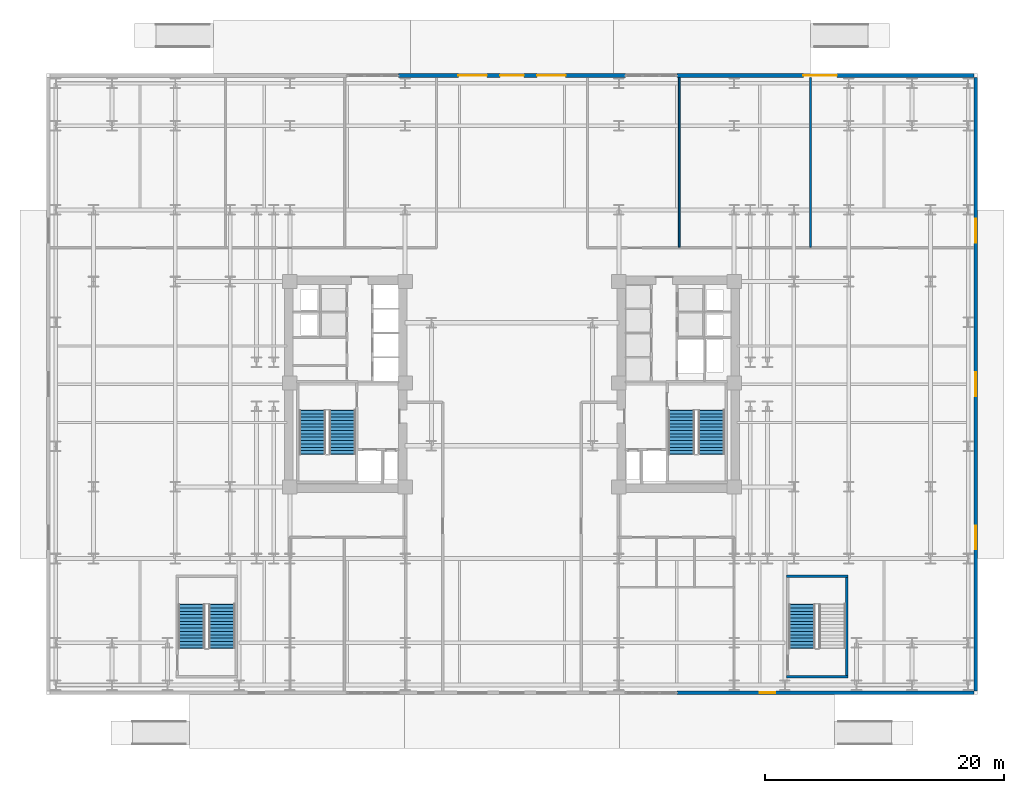
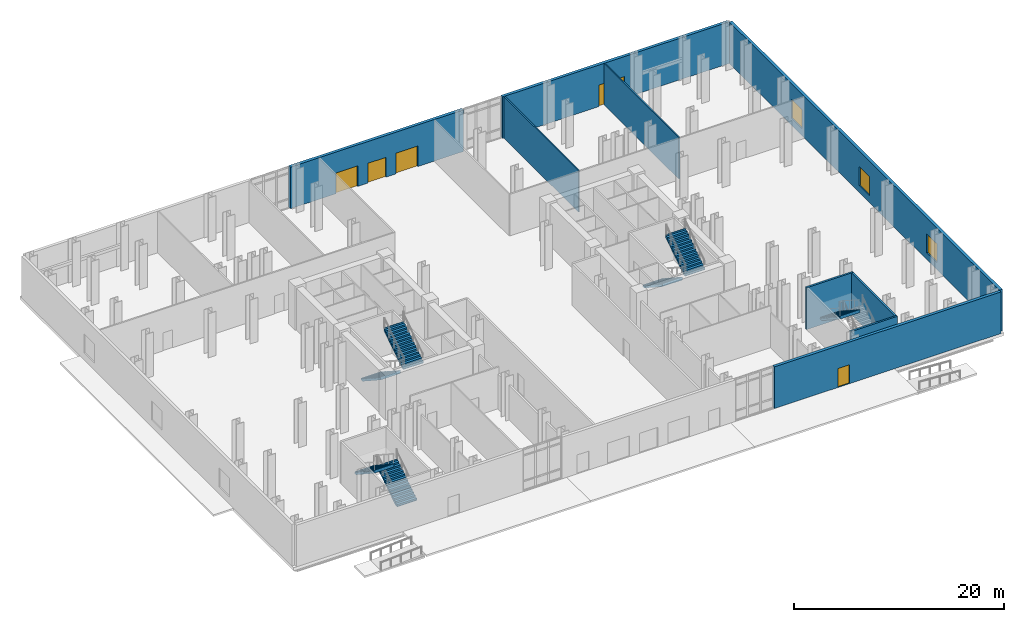
# One storey, part 14 of 21: 9 walls, 7 stair flights, 5 doors, 3 windows, 8 openings, 4 elements without a shape of their own.
"""IFC4 building model written with IfcOpenShell, lengths in metres."""

from ifc_helpers import new_model, si_unit, direction, frame, frame_2d, origin, place, context, subcontext, project, spatial, polyline, rectangle, outline, extrude, material, layer, layer_set, type_object, element, fill, aggregate, save


model = new_model("IFC4")

# Units and contexts
model_context = context("Model", 3, precision=1e-05, world=origin(), true_north=direction((0.0, 1.0)))
body_context = subcontext(model_context, "Body", "Model", "MODEL_VIEW")
ifc_project = project(units=[si_unit("LENGTHUNIT", "METRE"), si_unit("AREAUNIT", "SQUARE_METRE"), si_unit("VOLUMEUNIT", "CUBIC_METRE"), si_unit("PLANEANGLEUNIT", "RADIAN"), si_unit("MASSUNIT", "GRAM", prefix="KILO")], contexts=[model_context])

# Site, building, storey
site_placement = place(None, origin())
site = spatial("IfcSite", under=ifc_project, at=site_placement, CompositionType="ELEMENT")
building_placement = place(site_placement, origin())
building = spatial("IfcBuilding", under=site, at=building_placement, Name="Velakula Bourse", CompositionType="ELEMENT")
storey_placement = place(building_placement, origin())
storey = spatial("IfcBuildingStorey", under=building, at=storey_placement, Name="L00", CompositionType="ELEMENT", Elevation=0.0)

# Walls
ifc_material_1 = material(Name="Concrete M50 (fck 50 MPa)", Category="concrete")
ifc_layer_1 = layer(ifc_material_1, 0.2099609375, Name="Concrete M50 (fck 50 MPa)", Category="concrete")
ifc_layer_set_1 = layer_set([ifc_layer_1], Name="Concrete M50 (fck 50 MPa)")
wall_type_1 = type_object("IfcWallType", Name="WL-CORE-210", PredefinedType="SHEAR", material=ifc_layer_set_1)
for number, where, z_axis, x_axis, name in (
    (1, (22.989990234375, -24.5048828125, 0.0), (0.0, 0.0, 1.0), (1.0, 0.0, 0.0), "L00 Podium Stair ST-P2 Shear Wall S"),
    (2, (22.989990234375, -16.094970703125, 0.0), (0.0, 0.0, 1.0), (1.0, 0.0, 0.0), "L00 Podium Stair ST-P2 Shear Wall N"),
):
    element("IfcWall", number, at=place(storey_placement, frame(where, z_axis=z_axis, x_axis=x_axis)), inside=storey, type_object=wall_type_1, Name=name, PredefinedType="SHEAR", context=body_context, shape_type="SweptSolid", body=[
        extrude(rectangle(XDim=5.139892578125, YDim=0.2099609375, at=frame_2d((2.56982421875, 0.0))), origin(), (0.0, 0.0, 1.0), 4.85009765625),
    ])
wall_1_placement = place(storey_placement, frame((28.02490234375, -24.39990234375, 0.0), z_axis=(0.0, 0.0, 1.0), x_axis=(0.0, 1.0, 0.0)))
element("IfcWall", 3, at=wall_1_placement, inside=storey, type_object=wall_type_1, Name="L00 Podium Stair ST-P2 Shear Wall E", PredefinedType="SHEAR", context=body_context, shape_type="SweptSolid", body=[
    extrude(rectangle(XDim=8.199951171875, YDim=0.2099609375, at=frame_2d((4.10009765625, 0.0))), origin(), (0.0, 0.0, 1.0), 4.85009765625),
])

# Wall, opening, door
ifc_material_2 = material(Name="Red kilned clay facing brick masonry", Category="masonry")
ifc_layer_2 = layer(ifc_material_2, 0.320068359375, Name="Red kilned clay facing brick masonry", Category="masonry")
ifc_layer_set_2 = layer_set([ifc_layer_2], Name="Red kilned clay facing brick masonry")
wall_type_2 = type_object("IfcWallType", Name="WL-EXT-BRK-320", PredefinedType="STANDARD", material=ifc_layer_set_2)
wall_2_placement = place(storey_placement, frame((38.679931640625, -25.840087890625, 0.0), z_axis=(0.0, 0.0, 1.0), x_axis=(-1.0, 0.0, 0.0)))
wall_2 = element("IfcWall", 4, at=wall_2_placement, inside=storey, type_object=wall_type_2, Name="L00 South Brick Facade Wall 1", PredefinedType="STANDARD", context=body_context, shape_type="SweptSolid", body=[
    extrude(rectangle(XDim=24.8798828125, YDim=0.320068359375, at=frame_2d((12.43994140625, 0.0))), origin(), (0.0, 0.0, 1.0), 4.830078125),
])
opening_1_placement = place(wall_2_placement, frame((16.6298828125, 0.0, 0.0)))
opening_1 = element("IfcOpeningElement", 5, at=opening_1_placement, cuts=wall_2, Name="Opening D-EXD1", PredefinedType="OPENING", context=body_context, shape_type="SweptSolid", body=[
    extrude(rectangle(XDim=1.300048828125, YDim=2.199951171875, at=frame_2d((0.64990234375, 1.10009765625))), frame((0.0, 0.169921875, 0.0), z_axis=(0.0, -1.0, 0.0), x_axis=(1.0, 0.0, 0.0)), (0.0, 0.0, 1.0), 0.340087890625),
])
ifc_material_3 = material(Name="Anodised bronze architectural aluminium", Category="aluminium")
door_type_1 = type_object("IfcDoorType", Name="DR-EXT-EXIT-1300", OperationType="NOTDEFINED", PredefinedType="DOOR", material=ifc_material_3)
door_1_placement = place(opening_1_placement, origin())
door_1 = element("IfcDoor", 6, at=door_1_placement, inside=storey, type_object=door_type_1, Name="L00 East Podium Concourse Final Exit Door", OperationType="SINGLE_SWING_LEFT", OverallHeight=2.199951171875, OverallWidth=1.300048828125, PredefinedType="DOOR", context=body_context, shape_type="SweptSolid", body=[
    extrude(rectangle(XDim=1.300048828125, YDim=2.199951171875, at=frame_2d((0.64990234375, 1.10009765625))), frame((0.0, 0.02490234375, 0.0), z_axis=(0.0, -1.0, 0.0), x_axis=(1.0, 0.0, 0.0)), (0.0, 0.0, 1.0), 0.050048828125),
])
fill(opening_1, door_1)

# Wall, openings, doors
wall_3_placement = place(storey_placement, frame((-9.5, 25.840087890625, 0.0), z_axis=(0.0, 0.0, 1.0), x_axis=(1.0, 0.0, 0.0)))
wall_3 = element("IfcWall", 7, at=wall_3_placement, inside=storey, type_object=wall_type_2, Name="L00 North Brick Facade Wall 3", PredefinedType="STANDARD", context=body_context, shape_type="SweptSolid", body=[
    extrude(rectangle(XDim=19.0, YDim=0.320068359375, at=frame_2d((9.5, 0.0))), origin(), (0.0, 0.0, 1.0), 4.830078125),
])
opening_2_placement = place(wall_3_placement, frame((5.0, 0.0, 0.0)))
opening_2 = element("IfcOpeningElement", 8, at=opening_2_placement, cuts=wall_3, Name="Opening G-ST2", PredefinedType="OPENING", context=body_context, shape_type="SweptSolid", body=[
    extrude(rectangle(XDim=2.39990234375, YDim=2.39990234375, at=frame_2d((1.199951171875, 1.199951171875))), frame((0.0, 0.169921875, 0.0), z_axis=(0.0, -1.0, 0.0), x_axis=(1.0, 0.0, 0.0)), (0.0, 0.0, 1.0), 0.340087890625),
])
opening_3_placement = place(wall_3_placement, frame((8.5, 0.0, 0.0)))
opening_3 = element("IfcOpeningElement", 9, at=opening_3_placement, cuts=wall_3, Name="Opening D-EXN", PredefinedType="OPENING", context=body_context, shape_type="SweptSolid", body=[
    extrude(rectangle(XDim=2.0, YDim=2.300048828125, at=frame_2d((1.0, 1.14990234375))), frame((0.0, 0.169921875, 0.0), z_axis=(0.0, -1.0, 0.0), x_axis=(1.0, 0.0, 0.0)), (0.0, 0.0, 1.0), 0.340087890625),
])
opening_4_placement = place(wall_3_placement, frame((11.60009765625, 0.0, 0.0)))
opening_4 = element("IfcOpeningElement", 10, at=opening_4_placement, cuts=wall_3, Name="Opening G-ST2", PredefinedType="OPENING", context=body_context, shape_type="SweptSolid", body=[
    extrude(rectangle(XDim=2.39990234375, YDim=2.39990234375, at=frame_2d((1.199951171875, 1.199951171875))), frame((0.0, 0.169921875, 0.0), z_axis=(0.0, -1.0, 0.0), x_axis=(1.0, 0.0, 0.0)), (0.0, 0.0, 1.0), 0.340087890625),
])
door_type_2 = type_object("IfcDoorType", Name="DR-EXT-DBL-2000", OperationType="DOUBLE_DOOR_SINGLE_SWING", PredefinedType="DOOR", material=ifc_material_3)
door_2_placement = place(opening_3_placement, origin())
door_2 = element("IfcDoor", 11, at=door_2_placement, inside=storey, type_object=door_type_2, Name="L00 North Metro Concourse Entrance Door", OperationType="DOUBLE_DOOR_SINGLE_SWING", OverallHeight=2.300048828125, OverallWidth=2.0, PredefinedType="DOOR", context=body_context, shape_type="SweptSolid", body=[
    extrude(rectangle(XDim=2.0, YDim=2.300048828125, at=frame_2d((1.0, 1.14990234375))), frame((0.0, 0.02490234375, 0.0), z_axis=(0.0, -1.0, 0.0), x_axis=(1.0, 0.0, 0.0)), (0.0, 0.0, 1.0), 0.050048828125),
])
fill(opening_3, door_2)
door_type_3 = type_object("IfcDoorType", Name="DR-GATE-STN-2400", OperationType="DOUBLE_DOOR_SINGLE_SWING", PredefinedType="GATE", material=ifc_material_3)
door_3_placement = place(opening_2_placement, origin())
door_3 = element("IfcDoor", 12, at=door_3_placement, inside=storey, type_object=door_type_3, Name="L00 North Metro Concourse Gate West", OperationType="DOUBLE_DOOR_SINGLE_SWING", OverallHeight=2.39990234375, OverallWidth=2.39990234375, PredefinedType="GATE", context=body_context, shape_type="SweptSolid", body=[
    extrude(rectangle(XDim=2.39990234375, YDim=2.39990234375, at=frame_2d((1.199951171875, 1.199951171875))), frame((0.0, 0.02490234375, 0.0), z_axis=(0.0, -1.0, 0.0), x_axis=(1.0, 0.0, 0.0)), (0.0, 0.0, 1.0), 0.050048828125),
])
fill(opening_2, door_3)
door_4_placement = place(opening_4_placement, origin())
door_4 = element("IfcDoor", 13, at=door_4_placement, inside=storey, type_object=door_type_3, Name="L00 North Metro Concourse Gate East", OperationType="DOUBLE_DOOR_SINGLE_SWING", OverallHeight=2.39990234375, OverallWidth=2.39990234375, PredefinedType="GATE", context=body_context, shape_type="SweptSolid", body=[
    extrude(rectangle(XDim=2.39990234375, YDim=2.39990234375, at=frame_2d((1.199951171875, 1.199951171875))), frame((0.0, 0.02490234375, 0.0), z_axis=(0.0, -1.0, 0.0), x_axis=(1.0, 0.0, 0.0)), (0.0, 0.0, 1.0), 0.050048828125),
])
fill(opening_4, door_4)

# Wall, opening, door
wall_4_placement = place(storey_placement, frame((13.800048828125, 25.840087890625, 0.0), z_axis=(0.0, 0.0, 1.0), x_axis=(1.0, 0.0, 0.0)))
wall_4 = element("IfcWall", 14, at=wall_4_placement, inside=storey, type_object=wall_type_2, Name="L00 North Brick Facade Wall 5", PredefinedType="STANDARD", context=body_context, shape_type="SweptSolid", body=[
    extrude(rectangle(XDim=24.8798828125, YDim=0.320068359375, at=frame_2d((12.43994140625, 0.0))), origin(), (0.0, 0.0, 1.0), 4.830078125),
])
opening_5_placement = place(wall_4_placement, frame((10.60009765625, 0.0, 0.0)))
opening_5 = element("IfcOpeningElement", 15, at=opening_5_placement, cuts=wall_4, Name="Opening G-SV2", PredefinedType="OPENING", context=body_context, shape_type="SweptSolid", body=[
    extrude(rectangle(XDim=2.800048828125, YDim=2.5, at=frame_2d((1.39990234375, 1.25))), frame((0.0, 0.169921875, 0.0), z_axis=(0.0, -1.0, 0.0), x_axis=(1.0, 0.0, 0.0)), (0.0, 0.0, 1.0), 0.340087890625),
])
door_type_4 = type_object("IfcDoorType", Name="DR-GATE-SVC-2800", OperationType="DOUBLE_DOOR_SINGLE_SWING", PredefinedType="GATE", material=ifc_material_3)
door_5_placement = place(opening_5_placement, origin())
door_5 = element("IfcDoor", 16, at=door_5_placement, inside=storey, type_object=door_type_4, Name="L00 North Transit Logistics Gate", OperationType="DOUBLE_DOOR_SINGLE_SWING", OverallHeight=2.5, OverallWidth=2.800048828125, PredefinedType="GATE", context=body_context, shape_type="SweptSolid", body=[
    extrude(rectangle(XDim=2.800048828125, YDim=2.5, at=frame_2d((1.39990234375, 1.25))), frame((0.0, 0.02490234375, 0.0), z_axis=(0.0, -1.0, 0.0), x_axis=(1.0, 0.0, 0.0)), (0.0, 0.0, 1.0), 0.050048828125),
])
fill(opening_5, door_5)

# Wall, openings, windows
wall_5_placement = place(storey_placement, frame((38.840087890625, 25.679931640625, 0.0), z_axis=(0.0, 0.0, 1.0), x_axis=(0.0, -1.0, 0.0)))
wall_5 = element("IfcWall", 17, at=wall_5_placement, inside=storey, type_object=wall_type_2, Name="L00 E Brick Facade Wall", PredefinedType="STANDARD", context=body_context, shape_type="SweptSolid", body=[
    extrude(rectangle(XDim=51.35986328125, YDim=0.320068359375, at=frame_2d((25.679931640625, 0.0))), origin(), (0.0, 0.0, 1.0), 4.830078125),
])
opening_6_placement = place(wall_5_placement, frame((11.840087890625, 0.0, 0.800048828125)))
opening_6 = element("IfcOpeningElement", 18, at=opening_6_placement, cuts=wall_5, Name="Opening W-07", PredefinedType="OPENING", context=body_context, shape_type="SweptSolid", body=[
    extrude(rectangle(XDim=2.0, YDim=2.199951171875, at=frame_2d((1.0, 1.10009765625))), frame((0.0, 0.169921875, 0.0), z_axis=(0.0, -1.0, 0.0), x_axis=(1.0, 0.0, 0.0)), (0.0, 0.0, 1.0), 0.340087890625),
])
opening_7_placement = place(wall_5_placement, frame((24.679931640625, 0.0, 0.800048828125)))
opening_7 = element("IfcOpeningElement", 19, at=opening_7_placement, cuts=wall_5, Name="Opening W-07", PredefinedType="OPENING", context=body_context, shape_type="SweptSolid", body=[
    extrude(rectangle(XDim=2.0, YDim=2.199951171875, at=frame_2d((1.0, 1.10009765625))), frame((0.0, 0.169921875, 0.0), z_axis=(0.0, -1.0, 0.0), x_axis=(1.0, 0.0, 0.0)), (0.0, 0.0, 1.0), 0.340087890625),
])
opening_8_placement = place(wall_5_placement, frame((37.52001953125, 0.0, 0.800048828125)))
opening_8 = element("IfcOpeningElement", 20, at=opening_8_placement, cuts=wall_5, Name="Opening W-07", PredefinedType="OPENING", context=body_context, shape_type="SweptSolid", body=[
    extrude(rectangle(XDim=2.0, YDim=2.199951171875, at=frame_2d((1.0, 1.10009765625))), frame((0.0, 0.169921875, 0.0), z_axis=(0.0, -1.0, 0.0), x_axis=(1.0, 0.0, 0.0)), (0.0, 0.0, 1.0), 0.340087890625),
])
ifc_material_4 = material(Name="Double-glazed solar-control Low-E glass", Category="glass")
window_type = type_object("IfcWindowType", Name="WIN-POD-2000x2400", PartitioningType="DOUBLE_PANEL_VERTICAL", PredefinedType="WINDOW", material=ifc_material_4)
window_1_placement = place(opening_6_placement, origin())
window_1 = element("IfcWindow", 21, at=window_1_placement, inside=storey, type_object=window_type, Name="L00 Deep-Set Recessed Window 1", OverallHeight=2.199951171875, OverallWidth=2.0, PartitioningType="DOUBLE_PANEL_VERTICAL", PredefinedType="WINDOW", context=body_context, shape_type="SweptSolid", body=[
    extrude(rectangle(XDim=2.0, YDim=2.199951171875, at=frame_2d((1.0, 1.10009765625))), frame((0.0, 0.030029296875, 0.0), z_axis=(0.0, -1.0, 0.0), x_axis=(1.0, 0.0, 0.0)), (0.0, 0.0, 1.0), 0.06005859375),
])
fill(opening_6, window_1)
window_2_placement = place(opening_7_placement, origin())
window_2 = element("IfcWindow", 22, at=window_2_placement, inside=storey, type_object=window_type, Name="L00 Deep-Set Recessed Window 2", OverallHeight=2.199951171875, OverallWidth=2.0, PartitioningType="DOUBLE_PANEL_VERTICAL", PredefinedType="WINDOW", context=body_context, shape_type="SweptSolid", body=[
    extrude(rectangle(XDim=2.0, YDim=2.199951171875, at=frame_2d((1.0, 1.10009765625))), frame((0.0, 0.030029296875, 0.0), z_axis=(0.0, -1.0, 0.0), x_axis=(1.0, 0.0, 0.0)), (0.0, 0.0, 1.0), 0.06005859375),
])
fill(opening_7, window_2)
window_3_placement = place(opening_8_placement, origin())
window_3 = element("IfcWindow", 23, at=window_3_placement, inside=storey, type_object=window_type, Name="L00 Deep-Set Recessed Window 3", OverallHeight=2.199951171875, OverallWidth=2.0, PartitioningType="DOUBLE_PANEL_VERTICAL", PredefinedType="WINDOW", context=body_context, shape_type="SweptSolid", body=[
    extrude(rectangle(XDim=2.0, YDim=2.199951171875, at=frame_2d((1.0, 1.10009765625))), frame((0.0, 0.030029296875, 0.0), z_axis=(0.0, -1.0, 0.0), x_axis=(1.0, 0.0, 0.0)), (0.0, 0.0, 1.0), 0.06005859375),
])
fill(opening_8, window_3)

# Walls
ifc_material_5 = material(Name="Fire-rated double-layer gypsum drywall partition", Category="gypsum")
ifc_layer_3 = layer(ifc_material_5, 0.139892578125, Name="Fire-rated double-layer gypsum drywall partition", Category="gypsum")
ifc_layer_set_3 = layer_set([ifc_layer_3], Name="Fire-rated double-layer gypsum drywall partition")
wall_type_3 = type_object("IfcWallType", Name="WL-PART-140", PredefinedType="STANDARD", material=ifc_layer_set_3)
for number, where, z_axis, x_axis, name in (
    (24, (14.0, 11.489990234375, 0.0), (0.0, 0.0, 1.0), (0.0, 1.0, 0.0), "L00 Interior Partition WL-POD-L00-ND3"),
    (25, (25.0, 11.489990234375, 0.0), (0.0, 0.0, 1.0), (0.0, 1.0, 0.0), "L00 Interior Partition WL-POD-L00-ND4"),
):
    element("IfcWall", number, at=place(storey_placement, frame(where, z_axis=z_axis, x_axis=x_axis)), inside=storey, type_object=wall_type_3, Name=name, PredefinedType="STANDARD", context=body_context, shape_type="SweptSolid", body=[
        extrude(rectangle(XDim=14.18994140625, YDim=0.139892578125, at=frame_2d((7.094970703125, 0.0))), origin(), (0.0, 0.0, 1.0), 4.830078125),
    ])

# Stair, stair flights
ifc_material_6 = material(Name="Concrete M45 (fck 45 MPa)", Category="concrete")
stair_type = type_object("IfcStairType", Name="STR-DOG-510", PredefinedType="HALF_TURN_STAIR", material=ifc_material_6)
stair_1_placement = place(storey_placement, origin())
stair_1 = element("IfcStair", 26, at=stair_1_placement, inside=storey, type_object=stair_type, Name="L00 West Core Exit Stair ST-W1", PredefinedType="HALF_TURN_STAIR")
ifc_layer_4 = layer(ifc_material_6, 0.205078125, Name="Concrete M45 (fck 45 MPa)", Category="concrete")
ifc_layer_set_4 = layer_set([ifc_layer_4], Name="Concrete M45 (fck 45 MPa)")
stair_flight_type = type_object("IfcStairFlightType", Name="FLT-DOG-510", PredefinedType="STRAIGHT", material=ifc_layer_set_4)
stair_flight_1_placement = place(storey_placement, frame((-16.720947265625, -2.199951171875, 0.0), z_axis=(0.0, 0.0, 1.0), x_axis=(0.0, -1.0, 0.0)))
stair_flight_1 = element("IfcStairFlight", 27, at=stair_flight_1_placement, type_object=stair_flight_type, Name="ST-W1 flight 1", NumberOfRisers=14, NumberOfTreads=13, PredefinedType="STRAIGHT", RiserHeight=0.182142857, TreadLength=0.28, context=body_context, shape_type="SweptSolid", body=[
    extrude(outline(polyline([(-0.044921875, -0.0400390625), (-0.044921875, -0.036865234375), (-0.044921875, -0.033935546875), (-0.044921875, -0.03076171875), (-0.044921875, -0.027587890625), (-0.044921875, -0.024658203125), (-0.044921875, -0.021484375), (-0.044921875, -0.0185546875), (-0.044921875, -0.015380859375), (-0.044921875, -0.01220703125), (-0.044921875, -0.00927734375), (-0.044921875, -0.006103515625), (-0.044921875, -0.003173828125), (-0.044921875, 0.0), (0.0, 0.0), (0.0, 0.18212890625), (0.280029296875, 0.18212890625), (0.280029296875, 0.3642578125), (0.56005859375, 0.3642578125), (0.56005859375, 0.54638671875), (0.840087890625, 0.54638671875), (0.840087890625, 0.728515625), (1.1201171875, 0.728515625), (1.1201171875, 0.91064453125), (1.39990234375, 0.91064453125), (1.39990234375, 1.0927734375), (1.679931640625, 1.0927734375), (1.679931640625, 1.27490234375), (1.9599609375, 1.27490234375), (1.9599609375, 1.45703125), (2.239990234375, 1.45703125), (2.239990234375, 1.639404296875), (2.52001953125, 1.639404296875), (2.52001953125, 1.821533203125), (2.800048828125, 1.821533203125), (2.800048828125, 2.003662109375), (3.080078125, 2.003662109375), (3.080078125, 2.185791015625), (3.360107421875, 2.185791015625), (3.360107421875, 2.367919921875), (3.639892578125, 2.367919921875), (3.639892578125, 2.550048828125), (3.68505859375, 2.550048828125), (3.68505859375, 2.524169921875), (3.68505859375, 2.49853515625), (3.68505859375, 2.47265625), (3.68505859375, 2.44677734375), (3.68505859375, 2.421142578125), (3.68505859375, 2.395263671875), (3.68505859375, 2.36962890625), (3.68505859375, 2.34375), (3.68505859375, 2.31787109375), (3.68505859375, 2.292236328125), (3.68505859375, 2.266357421875), (3.68505859375, 2.240478515625), (3.68505859375, 2.21484375), (3.68505859375, 2.18896484375), (0.27490234375, -0.0400390625), (-0.044921875, -0.0400390625)])), frame((0.0, 1.09912109375, 0.0), z_axis=(0.0, -1.0, 0.0), x_axis=(1.0, 0.0, 0.0)), (0.0, 0.0, 1.0), 2.197998046875),
])
stair_flight_2_placement = place(storey_placement, frame((-14.198974609375, -5.840087890625, 2.550048828125), z_axis=(0.0, 0.0, 1.0), x_axis=(0.0, 1.0, 0.0)))
stair_flight_2 = element("IfcStairFlight", 28, at=stair_flight_2_placement, type_object=stair_flight_type, Name="ST-W1 flight 2", NumberOfRisers=14, NumberOfTreads=13, PredefinedType="STRAIGHT", RiserHeight=0.182142857, TreadLength=0.28, context=body_context, shape_type="SweptSolid", body=[
    extrude(outline(polyline([(-0.044921875, -0.0400390625), (-0.044921875, -0.036865234375), (-0.044921875, -0.033935546875), (-0.044921875, -0.03076171875), (-0.044921875, -0.027587890625), (-0.044921875, -0.024658203125), (-0.044921875, -0.021484375), (-0.044921875, -0.0185546875), (-0.044921875, -0.015380859375), (-0.044921875, -0.01220703125), (-0.044921875, -0.00927734375), (-0.044921875, -0.006103515625), (-0.044921875, -0.003173828125), (-0.044921875, 0.0), (0.0, 0.0), (0.0, 0.18212890625), (0.280029296875, 0.18212890625), (0.280029296875, 0.3642578125), (0.56005859375, 0.3642578125), (0.56005859375, 0.54638671875), (0.840087890625, 0.54638671875), (0.840087890625, 0.728515625), (1.1201171875, 0.728515625), (1.1201171875, 0.91064453125), (1.39990234375, 0.91064453125), (1.39990234375, 1.0927734375), (1.679931640625, 1.0927734375), (1.679931640625, 1.27490234375), (1.9599609375, 1.27490234375), (1.9599609375, 1.45703125), (2.239990234375, 1.45703125), (2.239990234375, 1.639404296875), (2.52001953125, 1.639404296875), (2.52001953125, 1.821533203125), (2.800048828125, 1.821533203125), (2.800048828125, 2.003662109375), (3.080078125, 2.003662109375), (3.080078125, 2.185791015625), (3.360107421875, 2.185791015625), (3.360107421875, 2.367919921875), (3.639892578125, 2.367919921875), (3.639892578125, 2.550048828125), (3.68505859375, 2.550048828125), (3.68505859375, 2.524169921875), (3.68505859375, 2.49853515625), (3.68505859375, 2.47265625), (3.68505859375, 2.44677734375), (3.68505859375, 2.421142578125), (3.68505859375, 2.395263671875), (3.68505859375, 2.36962890625), (3.68505859375, 2.34375), (3.68505859375, 2.31787109375), (3.68505859375, 2.292236328125), (3.68505859375, 2.266357421875), (3.68505859375, 2.240478515625), (3.68505859375, 2.21484375), (3.68505859375, 2.18896484375), (0.27490234375, -0.0400390625), (-0.044921875, -0.0400390625)])), frame((0.0, 1.09912109375, 0.0), z_axis=(0.0, -1.0, 0.0), x_axis=(1.0, 0.0, 0.0)), (0.0, 0.0, 1.0), 2.197998046875),
])
aggregate(stair_1, [stair_flight_1, stair_flight_2])

stair_2_placement = place(storey_placement, origin())
stair_2 = element("IfcStair", 29, at=stair_2_placement, inside=storey, type_object=stair_type, Name="L00 East Core Exit Stair ST-E1", PredefinedType="HALF_TURN_STAIR")
stair_flight_3_placement = place(storey_placement, frame((14.198974609375, -2.199951171875, 0.0), z_axis=(0.0, 0.0, 1.0), x_axis=(0.0, -1.0, 0.0)))
stair_flight_3 = element("IfcStairFlight", 30, at=stair_flight_3_placement, type_object=stair_flight_type, Name="ST-E1 flight 1", NumberOfRisers=14, NumberOfTreads=13, PredefinedType="STRAIGHT", RiserHeight=0.182142857, TreadLength=0.28, context=body_context, shape_type="SweptSolid", body=[
    extrude(outline(polyline([(-0.044921875, -0.0400390625), (-0.044921875, -0.036865234375), (-0.044921875, -0.033935546875), (-0.044921875, -0.03076171875), (-0.044921875, -0.027587890625), (-0.044921875, -0.024658203125), (-0.044921875, -0.021484375), (-0.044921875, -0.0185546875), (-0.044921875, -0.015380859375), (-0.044921875, -0.01220703125), (-0.044921875, -0.00927734375), (-0.044921875, -0.006103515625), (-0.044921875, -0.003173828125), (-0.044921875, 0.0), (0.0, 0.0), (0.0, 0.18212890625), (0.280029296875, 0.18212890625), (0.280029296875, 0.3642578125), (0.56005859375, 0.3642578125), (0.56005859375, 0.54638671875), (0.840087890625, 0.54638671875), (0.840087890625, 0.728515625), (1.1201171875, 0.728515625), (1.1201171875, 0.91064453125), (1.39990234375, 0.91064453125), (1.39990234375, 1.0927734375), (1.679931640625, 1.0927734375), (1.679931640625, 1.27490234375), (1.9599609375, 1.27490234375), (1.9599609375, 1.45703125), (2.239990234375, 1.45703125), (2.239990234375, 1.639404296875), (2.52001953125, 1.639404296875), (2.52001953125, 1.821533203125), (2.800048828125, 1.821533203125), (2.800048828125, 2.003662109375), (3.080078125, 2.003662109375), (3.080078125, 2.185791015625), (3.360107421875, 2.185791015625), (3.360107421875, 2.367919921875), (3.639892578125, 2.367919921875), (3.639892578125, 2.550048828125), (3.68505859375, 2.550048828125), (3.68505859375, 2.524169921875), (3.68505859375, 2.49853515625), (3.68505859375, 2.47265625), (3.68505859375, 2.44677734375), (3.68505859375, 2.421142578125), (3.68505859375, 2.395263671875), (3.68505859375, 2.36962890625), (3.68505859375, 2.34375), (3.68505859375, 2.31787109375), (3.68505859375, 2.292236328125), (3.68505859375, 2.266357421875), (3.68505859375, 2.240478515625), (3.68505859375, 2.21484375), (3.68505859375, 2.18896484375), (0.27490234375, -0.0400390625), (-0.044921875, -0.0400390625)])), frame((0.0, 1.09912109375, 0.0), z_axis=(0.0, -1.0, 0.0), x_axis=(1.0, 0.0, 0.0)), (0.0, 0.0, 1.0), 2.197998046875),
])
stair_flight_4_placement = place(storey_placement, frame((16.720947265625, -5.840087890625, 2.550048828125), z_axis=(0.0, 0.0, 1.0), x_axis=(0.0, 1.0, 0.0)))
stair_flight_4 = element("IfcStairFlight", 31, at=stair_flight_4_placement, type_object=stair_flight_type, Name="ST-E1 flight 2", NumberOfRisers=14, NumberOfTreads=13, PredefinedType="STRAIGHT", RiserHeight=0.182142857, TreadLength=0.28, context=body_context, shape_type="SweptSolid", body=[
    extrude(outline(polyline([(-0.044921875, -0.0400390625), (-0.044921875, -0.036865234375), (-0.044921875, -0.033935546875), (-0.044921875, -0.03076171875), (-0.044921875, -0.027587890625), (-0.044921875, -0.024658203125), (-0.044921875, -0.021484375), (-0.044921875, -0.0185546875), (-0.044921875, -0.015380859375), (-0.044921875, -0.01220703125), (-0.044921875, -0.00927734375), (-0.044921875, -0.006103515625), (-0.044921875, -0.003173828125), (-0.044921875, 0.0), (0.0, 0.0), (0.0, 0.18212890625), (0.280029296875, 0.18212890625), (0.280029296875, 0.3642578125), (0.56005859375, 0.3642578125), (0.56005859375, 0.54638671875), (0.840087890625, 0.54638671875), (0.840087890625, 0.728515625), (1.1201171875, 0.728515625), (1.1201171875, 0.91064453125), (1.39990234375, 0.91064453125), (1.39990234375, 1.0927734375), (1.679931640625, 1.0927734375), (1.679931640625, 1.27490234375), (1.9599609375, 1.27490234375), (1.9599609375, 1.45703125), (2.239990234375, 1.45703125), (2.239990234375, 1.639404296875), (2.52001953125, 1.639404296875), (2.52001953125, 1.821533203125), (2.800048828125, 1.821533203125), (2.800048828125, 2.003662109375), (3.080078125, 2.003662109375), (3.080078125, 2.185791015625), (3.360107421875, 2.185791015625), (3.360107421875, 2.367919921875), (3.639892578125, 2.367919921875), (3.639892578125, 2.550048828125), (3.68505859375, 2.550048828125), (3.68505859375, 2.524169921875), (3.68505859375, 2.49853515625), (3.68505859375, 2.47265625), (3.68505859375, 2.44677734375), (3.68505859375, 2.421142578125), (3.68505859375, 2.395263671875), (3.68505859375, 2.36962890625), (3.68505859375, 2.34375), (3.68505859375, 2.31787109375), (3.68505859375, 2.292236328125), (3.68505859375, 2.266357421875), (3.68505859375, 2.240478515625), (3.68505859375, 2.21484375), (3.68505859375, 2.18896484375), (0.27490234375, -0.0400390625), (-0.044921875, -0.0400390625)])), frame((0.0, 1.09912109375, 0.0), z_axis=(0.0, -1.0, 0.0), x_axis=(1.0, 0.0, 0.0)), (0.0, 0.0, 1.0), 2.197998046875),
])
aggregate(stair_2, [stair_flight_3, stair_flight_4])

stair_3_placement = place(storey_placement, origin())
stair_3 = element("IfcStair", 32, at=stair_3_placement, inside=storey, type_object=stair_type, Name="L00 West Podium Exit Stair ST-P1", PredefinedType="HALF_TURN_STAIR")
stair_flight_5_placement = place(storey_placement, frame((-24.299072265625, -22.10009765625, 0.0), z_axis=(0.0, 0.0, 1.0), x_axis=(0.0, 1.0, 0.0)))
stair_flight_5 = element("IfcStairFlight", 33, at=stair_flight_5_placement, type_object=stair_flight_type, Name="ST-P1 flight 1", NumberOfRisers=14, NumberOfTreads=13, PredefinedType="STRAIGHT", RiserHeight=0.182142857, TreadLength=0.28, context=body_context, shape_type="SweptSolid", body=[
    extrude(outline(polyline([(-0.044921875, -0.0400390625), (-0.044921875, -0.036865234375), (-0.044921875, -0.033935546875), (-0.044921875, -0.03076171875), (-0.044921875, -0.027587890625), (-0.044921875, -0.024658203125), (-0.044921875, -0.021484375), (-0.044921875, -0.0185546875), (-0.044921875, -0.015380859375), (-0.044921875, -0.01220703125), (-0.044921875, -0.00927734375), (-0.044921875, -0.006103515625), (-0.044921875, -0.003173828125), (-0.044921875, 0.0), (0.0, 0.0), (0.0, 0.18212890625), (0.280029296875, 0.18212890625), (0.280029296875, 0.3642578125), (0.56005859375, 0.3642578125), (0.56005859375, 0.54638671875), (0.840087890625, 0.54638671875), (0.840087890625, 0.728515625), (1.1201171875, 0.728515625), (1.1201171875, 0.91064453125), (1.39990234375, 0.91064453125), (1.39990234375, 1.0927734375), (1.679931640625, 1.0927734375), (1.679931640625, 1.27490234375), (1.9599609375, 1.27490234375), (1.9599609375, 1.45703125), (2.239990234375, 1.45703125), (2.239990234375, 1.639404296875), (2.52001953125, 1.639404296875), (2.52001953125, 1.821533203125), (2.800048828125, 1.821533203125), (2.800048828125, 2.003662109375), (3.080078125, 2.003662109375), (3.080078125, 2.185791015625), (3.360107421875, 2.185791015625), (3.360107421875, 2.367919921875), (3.639892578125, 2.367919921875), (3.639892578125, 2.550048828125), (3.68505859375, 2.550048828125), (3.68505859375, 2.524169921875), (3.68505859375, 2.49853515625), (3.68505859375, 2.47265625), (3.68505859375, 2.44677734375), (3.68505859375, 2.421142578125), (3.68505859375, 2.395263671875), (3.68505859375, 2.36962890625), (3.68505859375, 2.34375), (3.68505859375, 2.31787109375), (3.68505859375, 2.292236328125), (3.68505859375, 2.266357421875), (3.68505859375, 2.240478515625), (3.68505859375, 2.21484375), (3.68505859375, 2.18896484375), (0.27490234375, -0.0400390625), (-0.044921875, -0.0400390625)])), frame((0.0, 1.09912109375, 0.0), z_axis=(0.0, -1.0, 0.0), x_axis=(1.0, 0.0, 0.0)), (0.0, 0.0, 1.0), 2.197998046875),
])
stair_flight_6_placement = place(storey_placement, frame((-26.821044921875, -18.4599609375, 2.550048828125), z_axis=(0.0, 0.0, 1.0), x_axis=(0.0, -1.0, 0.0)))
stair_flight_6 = element("IfcStairFlight", 34, at=stair_flight_6_placement, type_object=stair_flight_type, Name="ST-P1 flight 2", NumberOfRisers=14, NumberOfTreads=13, PredefinedType="STRAIGHT", RiserHeight=0.182142857, TreadLength=0.28, context=body_context, shape_type="SweptSolid", body=[
    extrude(outline(polyline([(-0.044921875, -0.0400390625), (-0.044921875, -0.036865234375), (-0.044921875, -0.033935546875), (-0.044921875, -0.03076171875), (-0.044921875, -0.027587890625), (-0.044921875, -0.024658203125), (-0.044921875, -0.021484375), (-0.044921875, -0.0185546875), (-0.044921875, -0.015380859375), (-0.044921875, -0.01220703125), (-0.044921875, -0.00927734375), (-0.044921875, -0.006103515625), (-0.044921875, -0.003173828125), (-0.044921875, 0.0), (0.0, 0.0), (0.0, 0.18212890625), (0.280029296875, 0.18212890625), (0.280029296875, 0.3642578125), (0.56005859375, 0.3642578125), (0.56005859375, 0.54638671875), (0.840087890625, 0.54638671875), (0.840087890625, 0.728515625), (1.1201171875, 0.728515625), (1.1201171875, 0.91064453125), (1.39990234375, 0.91064453125), (1.39990234375, 1.0927734375), (1.679931640625, 1.0927734375), (1.679931640625, 1.27490234375), (1.9599609375, 1.27490234375), (1.9599609375, 1.45703125), (2.239990234375, 1.45703125), (2.239990234375, 1.639404296875), (2.52001953125, 1.639404296875), (2.52001953125, 1.821533203125), (2.800048828125, 1.821533203125), (2.800048828125, 2.003662109375), (3.080078125, 2.003662109375), (3.080078125, 2.185791015625), (3.360107421875, 2.185791015625), (3.360107421875, 2.367919921875), (3.639892578125, 2.367919921875), (3.639892578125, 2.550048828125), (3.68505859375, 2.550048828125), (3.68505859375, 2.524169921875), (3.68505859375, 2.49853515625), (3.68505859375, 2.47265625), (3.68505859375, 2.44677734375), (3.68505859375, 2.421142578125), (3.68505859375, 2.395263671875), (3.68505859375, 2.36962890625), (3.68505859375, 2.34375), (3.68505859375, 2.31787109375), (3.68505859375, 2.292236328125), (3.68505859375, 2.266357421875), (3.68505859375, 2.240478515625), (3.68505859375, 2.21484375), (3.68505859375, 2.18896484375), (0.27490234375, -0.0400390625), (-0.044921875, -0.0400390625)])), frame((0.0, 1.09912109375, 0.0), z_axis=(0.0, -1.0, 0.0), x_axis=(1.0, 0.0, 0.0)), (0.0, 0.0, 1.0), 2.197998046875),
])
aggregate(stair_3, [stair_flight_5, stair_flight_6])

# Stair, stair flight
stair_4_placement = place(storey_placement, origin())
stair_4 = element("IfcStair", 35, at=stair_4_placement, inside=storey, type_object=stair_type, Name="L00 East Podium Exit Stair ST-P2", PredefinedType="HALF_TURN_STAIR")
stair_flight_7_placement = place(storey_placement, frame((24.299072265625, -18.4599609375, 2.550048828125), z_axis=(0.0, 0.0, 1.0), x_axis=(0.0, -1.0, 0.0)))
stair_flight_7 = element("IfcStairFlight", 36, at=stair_flight_7_placement, type_object=stair_flight_type, Name="ST-P2 flight 2", NumberOfRisers=14, NumberOfTreads=13, PredefinedType="STRAIGHT", RiserHeight=0.182142857, TreadLength=0.28, context=body_context, shape_type="SweptSolid", body=[
    extrude(outline(polyline([(-0.044921875, -0.0400390625), (-0.044921875, -0.036865234375), (-0.044921875, -0.033935546875), (-0.044921875, -0.03076171875), (-0.044921875, -0.027587890625), (-0.044921875, -0.024658203125), (-0.044921875, -0.021484375), (-0.044921875, -0.0185546875), (-0.044921875, -0.015380859375), (-0.044921875, -0.01220703125), (-0.044921875, -0.00927734375), (-0.044921875, -0.006103515625), (-0.044921875, -0.003173828125), (-0.044921875, 0.0), (0.0, 0.0), (0.0, 0.18212890625), (0.280029296875, 0.18212890625), (0.280029296875, 0.3642578125), (0.56005859375, 0.3642578125), (0.56005859375, 0.54638671875), (0.840087890625, 0.54638671875), (0.840087890625, 0.728515625), (1.1201171875, 0.728515625), (1.1201171875, 0.91064453125), (1.39990234375, 0.91064453125), (1.39990234375, 1.0927734375), (1.679931640625, 1.0927734375), (1.679931640625, 1.27490234375), (1.9599609375, 1.27490234375), (1.9599609375, 1.45703125), (2.239990234375, 1.45703125), (2.239990234375, 1.639404296875), (2.52001953125, 1.639404296875), (2.52001953125, 1.821533203125), (2.800048828125, 1.821533203125), (2.800048828125, 2.003662109375), (3.080078125, 2.003662109375), (3.080078125, 2.185791015625), (3.360107421875, 2.185791015625), (3.360107421875, 2.367919921875), (3.639892578125, 2.367919921875), (3.639892578125, 2.550048828125), (3.68505859375, 2.550048828125), (3.68505859375, 2.524169921875), (3.68505859375, 2.49853515625), (3.68505859375, 2.47265625), (3.68505859375, 2.44677734375), (3.68505859375, 2.421142578125), (3.68505859375, 2.395263671875), (3.68505859375, 2.36962890625), (3.68505859375, 2.34375), (3.68505859375, 2.31787109375), (3.68505859375, 2.292236328125), (3.68505859375, 2.266357421875), (3.68505859375, 2.240478515625), (3.68505859375, 2.21484375), (3.68505859375, 2.18896484375), (0.27490234375, -0.0400390625), (-0.044921875, -0.0400390625)])), frame((0.0, 1.09912109375, 0.0), z_axis=(0.0, -1.0, 0.0), x_axis=(1.0, 0.0, 0.0)), (0.0, 0.0, 1.0), 2.197998046875),
])
aggregate(stair_4, [stair_flight_7])

save(model, "model.ifc")
